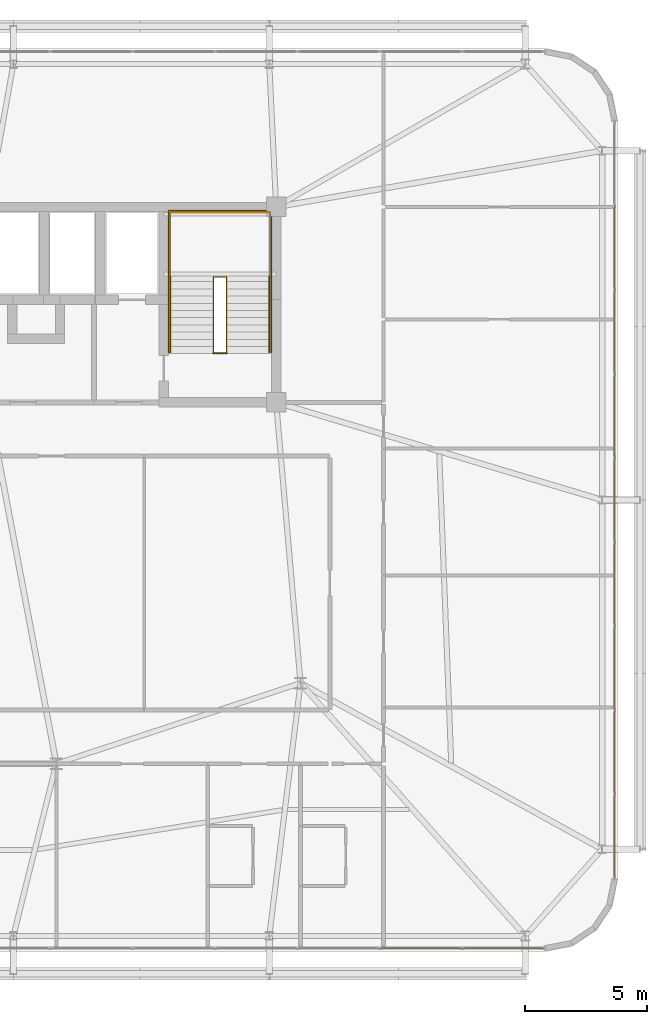
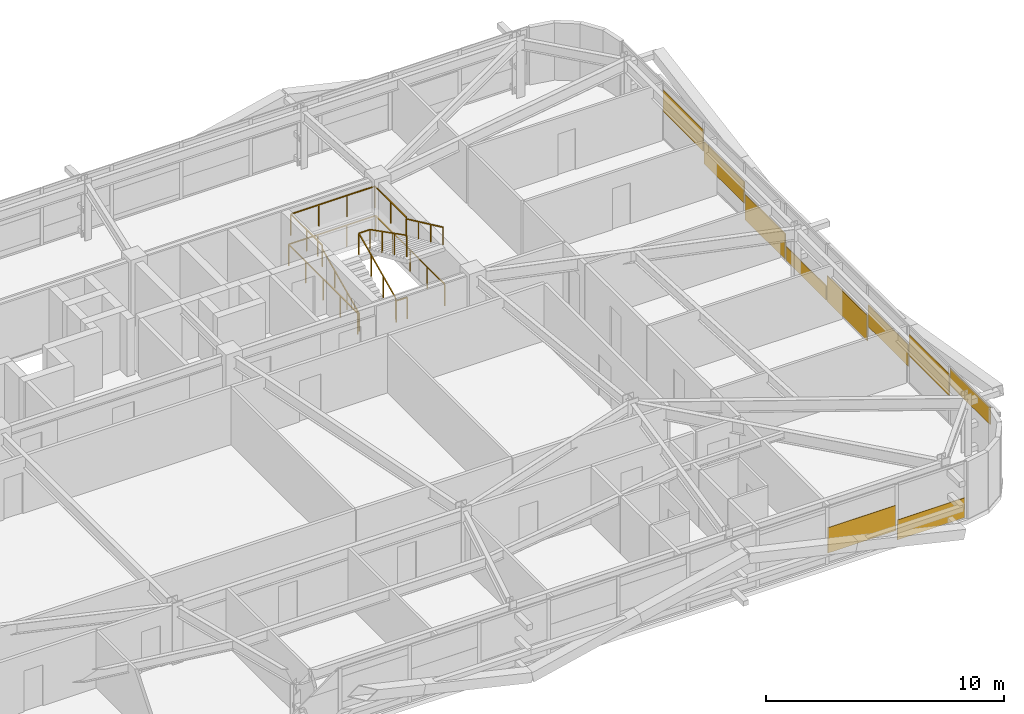
# One storey, part 57 of 58: 10 coverings, 6 railings.
"""IFC4 building model written with IfcOpenShell, lengths in metres."""

from ifc_helpers import new_model, si_unit, direction, frame, origin, origin_2d, place, context, subcontext, project, spatial, rectangle, extrude, source, transform, mapped, material, layer, layer_set, type_object, element, save


model = new_model("IFC4")

# Units and contexts
model_context = context("Model", 3, precision=1e-05, world=origin(), true_north=direction((0.0, 1.0)))
body_context = subcontext(model_context, "Body", "Model", "MODEL_VIEW")
ifc_project = project(units=[si_unit("LENGTHUNIT", "METRE"), si_unit("AREAUNIT", "SQUARE_METRE"), si_unit("VOLUMEUNIT", "CUBIC_METRE"), si_unit("PLANEANGLEUNIT", "RADIAN"), si_unit("MASSUNIT", "GRAM", prefix="KILO")], contexts=[model_context])

# Site, building, storey
site_placement = place(None, origin())
site = spatial("IfcSite", under=ifc_project, at=site_placement, CompositionType="ELEMENT")
building_placement = place(site_placement, origin())
building = spatial("IfcBuilding", under=site, at=building_placement, Name="Taldren Reach Tower", CompositionType="ELEMENT")
storey_placement = place(building_placement, frame((0.0, 0.0, 51.449951171875)))
storey = spatial("IfcBuildingStorey", under=building, at=storey_placement, Name="L15", CompositionType="ELEMENT", Elevation=51.449951171875)

# Railings
ifc_material_1 = material(Name="Steel Gr 350 (C350L0)", Category="steel")
ifc_layer_1 = layer(ifc_material_1, 0.050048828125)
ifc_layer_set_1 = layer_set([ifc_layer_1], Name="Steel Gr 350 (C350L0)")
railing_type_1 = type_object("IfcRailingType", Name="RL-STAIR-GR", PredefinedType="GUARDRAIL", material=ifc_layer_set_1)
railing_1_placement = place(storey_placement, frame((46.659912109375, 29.135009765625, 1.574951171875)))
element("IfcRailing", 1, at=railing_1_placement, inside=storey, type_object=railing_type_1, Name="Stair half-landing perimeter guard ST2-L15", PredefinedType="GUARDRAIL", context=body_context, shape_type="SweptSolid", body=[
    extrude(rectangle(XDim=0.047852, YDim=0.047852, at=origin_2d()), frame((0.0, 0.0, 1.09619140625), z_axis=(0.0, 1.0, 0.0), x_axis=(-1.0, 0.0, 0.0)), (0.0, 0.0, 1.0), 2.64501953125),
    extrude(rectangle(XDim=0.047852, YDim=0.047852, at=origin_2d()), frame((0.0, 2.64501953125, 1.09619140625), z_axis=(1.0, 0.0, 0.0), x_axis=(0.0, 1.0, 0.0)), (0.0, 0.0, 1.0), 4.080078125),
    extrude(rectangle(XDim=0.047852, YDim=0.047852, at=origin_2d()), frame((4.080078125, 2.64501953125, 1.09619140625), z_axis=(0.0, -1.0, 0.0), x_axis=(1.0, 0.0, 0.0)), (0.0, 0.0, 1.0), 2.64501953125),
    extrude(rectangle(XDim=0.041992, YDim=0.041992, at=origin_2d()), origin(), (0.0, 0.0, 1.0), 1.072021484375),
    extrude(rectangle(XDim=0.041992, YDim=0.041992, at=origin_2d()), frame((0.0, 1.322509765625, 0.0)), (0.0, 0.0, 1.0), 1.072021484375),
    extrude(rectangle(XDim=0.041992, YDim=0.041992, at=origin_2d()), frame((0.0, 2.64501953125, 0.0)), (0.0, 0.0, 1.0), 1.072021484375),
    extrude(rectangle(XDim=0.041992, YDim=0.041992, at=origin_2d()), frame((1.360107421875, 2.64501953125, 0.0)), (0.0, 0.0, 1.0), 1.072021484375),
    extrude(rectangle(XDim=0.041992, YDim=0.041992, at=origin_2d()), frame((2.719970703125, 2.64501953125, 0.0)), (0.0, 0.0, 1.0), 1.072021484375),
    extrude(rectangle(XDim=0.041992, YDim=0.041992, at=origin_2d()), frame((4.080078125, 2.64501953125, 0.0)), (0.0, 0.0, 1.0), 1.072021484375),
    extrude(rectangle(XDim=0.041992, YDim=0.041992, at=origin_2d()), frame((4.080078125, 1.322509765625, 0.0)), (0.0, 0.0, 1.0), 1.072021484375),
    extrude(rectangle(XDim=0.041992, YDim=0.041992, at=origin_2d()), frame((4.080078125, 0.0, 0.0)), (0.0, 0.0, 1.0), 1.072021484375),
])
railing_2_placement = place(storey_placement, frame((48.429931640625, 26.050048828125, 0.13134765625)))
element("IfcRailing", 2, at=railing_2_placement, inside=storey, type_object=railing_type_1, Name="Stairwell inner guard ST2-L15", PredefinedType="GUARDRAIL", context=body_context, shape_type="SweptSolid", body=[
    extrude(rectangle(XDim=0.047852, YDim=0.047852, at=origin_2d()), frame((0.0, 0.0, 1.09619140625), z_axis=(0.0, 0.905737652094, 0.423838773095), x_axis=(-1.0, 0.0, 0.0)), (0.0, 0.0, 1.0), 3.406005859375),
    extrude(rectangle(XDim=0.047852, YDim=0.047852, at=origin_2d()), frame((0.0, 3.0849609375, 2.53955078125), z_axis=(1.0, 0.0, 0.0), x_axis=(0.0, 1.0, 0.0)), (0.0, 0.0, 1.0), 0.5400390625),
    extrude(rectangle(XDim=0.047852, YDim=0.047852, at=origin_2d()), frame((0.5400390625, 3.0849609375, 2.53955078125), z_axis=(0.0, -0.890617412389, 0.454753366946), x_axis=(1.0, 0.0, 0.0)), (0.0, 0.0, 1.0), 3.4638671875),
    extrude(rectangle(XDim=0.041992, YDim=0.041992, at=origin_2d()), origin(), (0.0, 0.0, 1.0), 1.072021484375),
    extrude(rectangle(XDim=0.041992, YDim=0.041992, at=origin_2d()), frame((0.0, 1.0283203125, 0.481201171875)), (0.0, 0.0, 1.0), 1.072021484375),
    extrude(rectangle(XDim=0.041992, YDim=0.041992, at=origin_2d()), frame((0.0, 2.056640625, 0.96240234375)), (0.0, 0.0, 1.0), 1.072021484375),
    extrude(rectangle(XDim=0.041992, YDim=0.041992, at=origin_2d()), frame((0.0, 3.0849609375, 1.443603515625)), (0.0, 0.0, 1.0), 1.072021484375),
    extrude(rectangle(XDim=0.041992, YDim=0.041992, at=origin_2d()), frame((0.5400390625, 3.0849609375, 1.443603515625)), (0.0, 0.0, 1.0), 1.072021484375),
    extrude(rectangle(XDim=0.041992, YDim=0.041992, at=origin_2d()), frame((0.5400390625, 2.056640625, 1.96875)), (0.0, 0.0, 1.0), 1.072021484375),
    extrude(rectangle(XDim=0.041992, YDim=0.041992, at=origin_2d()), frame((0.5400390625, 1.0283203125, 2.49365234375)), (0.0, 0.0, 1.0), 1.072021484375),
    extrude(rectangle(XDim=0.041992, YDim=0.041992, at=origin_2d()), frame((0.5400390625, 0.0, 3.018798828125)), (0.0, 0.0, 1.0), 1.072021484375),
])
railing_3_placement = place(storey_placement, frame((48.429931640625, 26.010009765625, 0.0)))
element("IfcRailing", 3, at=railing_3_placement, inside=storey, type_object=railing_type_1, Name="Stairwell landing slot guard ST2-L15", PredefinedType="GUARDRAIL", context=body_context, shape_type="SweptSolid", body=[
    extrude(rectangle(XDim=0.047852, YDim=0.047852, at=origin_2d()), frame((0.0, 0.0, 1.09619140625), z_axis=(1.0, 0.0, 0.0), x_axis=(0.0, 1.0, 0.0)), (0.0, 0.0, 1.0), 0.5400390625),
    extrude(rectangle(XDim=0.041992, YDim=0.041992, at=origin_2d()), origin(), (0.0, 0.0, 1.0), 1.072021484375),
    extrude(rectangle(XDim=0.041992, YDim=0.041992, at=origin_2d()), frame((0.5400390625, 0.0, 0.0)), (0.0, 0.0, 1.0), 1.072021484375),
])
railing_4_placement = place(storey_placement, frame((46.590087890625, 26.050048828125, 0.0)))
element("IfcRailing", 4, at=railing_4_placement, inside=storey, type_object=railing_type_1, Name="Stairwell floor opening guard ST2-L15", PredefinedType="GUARDRAIL", context=body_context, shape_type="SweptSolid", body=[
    extrude(rectangle(XDim=0.047852, YDim=0.047852, at=origin_2d()), frame((0.0, 0.0, 1.09619140625), z_axis=(0.0, 1.0, 0.0), x_axis=(-1.0, 0.0, 0.0)), (0.0, 0.0, 1.0), 5.800048828125),
    extrude(rectangle(XDim=0.047852, YDim=0.047852, at=origin_2d()), frame((0.0, 5.800048828125, 1.09619140625), z_axis=(1.0, 0.0, 0.0), x_axis=(0.0, 1.0, 0.0)), (0.0, 0.0, 1.0), 4.219970703125),
    extrude(rectangle(XDim=0.047852, YDim=0.047852, at=origin_2d()), frame((4.219970703125, 5.800048828125, 1.09619140625), z_axis=(0.0, -1.0, 0.0), x_axis=(1.0, 0.0, 0.0)), (0.0, 0.0, 1.0), 5.800048828125),
    extrude(rectangle(XDim=0.041992, YDim=0.041992, at=origin_2d()), origin(), (0.0, 0.0, 1.0), 1.072021484375),
    extrude(rectangle(XDim=0.041992, YDim=0.041992, at=origin_2d()), frame((0.0, 1.449951171875, 0.0)), (0.0, 0.0, 1.0), 1.072021484375),
    extrude(rectangle(XDim=0.041992, YDim=0.041992, at=origin_2d()), frame((0.0, 2.89990234375, 0.0)), (0.0, 0.0, 1.0), 1.072021484375),
    extrude(rectangle(XDim=0.041992, YDim=0.041992, at=origin_2d()), frame((0.0, 4.35009765625, 0.0)), (0.0, 0.0, 1.0), 1.072021484375),
    extrude(rectangle(XDim=0.041992, YDim=0.041992, at=origin_2d()), frame((0.0, 5.800048828125, 0.0)), (0.0, 0.0, 1.0), 1.072021484375),
    extrude(rectangle(XDim=0.041992, YDim=0.041992, at=origin_2d()), frame((1.40673828125, 5.800048828125, 0.0)), (0.0, 0.0, 1.0), 1.072021484375),
    extrude(rectangle(XDim=0.041992, YDim=0.041992, at=origin_2d()), frame((2.813232421875, 5.800048828125, 0.0)), (0.0, 0.0, 1.0), 1.072021484375),
    extrude(rectangle(XDim=0.041992, YDim=0.041992, at=origin_2d()), frame((4.219970703125, 5.800048828125, 0.0)), (0.0, 0.0, 1.0), 1.072021484375),
    extrude(rectangle(XDim=0.041992, YDim=0.041992, at=origin_2d()), frame((4.219970703125, 4.35009765625, 0.0)), (0.0, 0.0, 1.0), 1.072021484375),
    extrude(rectangle(XDim=0.041992, YDim=0.041992, at=origin_2d()), frame((4.219970703125, 2.89990234375, 0.0)), (0.0, 0.0, 1.0), 1.072021484375),
    extrude(rectangle(XDim=0.041992, YDim=0.041992, at=origin_2d()), frame((4.219970703125, 1.449951171875, 0.0)), (0.0, 0.0, 1.0), 1.072021484375),
    extrude(rectangle(XDim=0.041992, YDim=0.041992, at=origin_2d()), frame((4.219970703125, 0.0, 0.0)), (0.0, 0.0, 1.0), 1.072021484375),
])
ifc_material_2 = material(Name="Stainless Steel Gr 316", Category="steel")
ifc_layer_2 = layer(ifc_material_2, 0.048095703125)
ifc_layer_set_2 = layer_set([ifc_layer_2], Name="Stainless Steel Gr 316")
railing_type_2 = type_object("IfcRailingType", Name="RL-STAIR-HR", PredefinedType="HANDRAIL", material=ifc_layer_set_2)
railing_5_placement = place(storey_placement, frame((46.669921875, 26.050048828125, 0.13134765625)))
element("IfcRailing", 5, at=railing_5_placement, inside=storey, type_object=railing_type_2, Name="Stair flight handrail ST2-L15-1", PredefinedType="HANDRAIL", context=body_context, shape_type="SweptSolid", body=[
    extrude(rectangle(XDim=0.047852, YDim=0.047852, at=origin_2d()), frame((0.0, 0.0, 0.89599609375), z_axis=(0.0, 0.905737652094, 0.423838773095), x_axis=(-1.0, 0.0, 0.0)), (0.0, 0.0, 1.0), 3.406005859375),
    extrude(rectangle(XDim=0.041992, YDim=0.041992, at=origin_2d()), origin(), (0.0, 0.0, 1.0), 0.871826171875),
    extrude(rectangle(XDim=0.041992, YDim=0.041992, at=origin_2d()), frame((0.0, 1.0283203125, 0.481201171875)), (0.0, 0.0, 1.0), 0.871826171875),
    extrude(rectangle(XDim=0.041992, YDim=0.041992, at=origin_2d()), frame((0.0, 2.056640625, 0.96240234375)), (0.0, 0.0, 1.0), 0.871826171875),
    extrude(rectangle(XDim=0.041992, YDim=0.041992, at=origin_2d()), frame((0.0, 3.0849609375, 1.443603515625)), (0.0, 0.0, 1.0), 0.871826171875),
])
railing_6_placement = place(storey_placement, frame((50.72998046875, 29.135009765625, 1.706298828125)))
element("IfcRailing", 6, at=railing_6_placement, inside=storey, type_object=railing_type_2, Name="Stair flight handrail ST2-L15-2", PredefinedType="HANDRAIL", context=body_context, shape_type="SweptSolid", body=[
    extrude(rectangle(XDim=0.047852, YDim=0.047852, at=origin_2d()), frame((0.0, 0.0, 0.89599609375), z_axis=(0.0, -0.905710134349, 0.423897573167), x_axis=(1.0, 0.0, 0.0)), (0.0, 0.0, 1.0), 3.406005859375),
    extrude(rectangle(XDim=0.041992, YDim=0.041992, at=origin_2d()), origin(), (0.0, 0.0, 1.0), 0.871826171875),
    extrude(rectangle(XDim=0.041992, YDim=0.041992, at=origin_2d()), frame((0.0, -1.0283203125, 0.481201171875)), (0.0, 0.0, 1.0), 0.871826171875),
    extrude(rectangle(XDim=0.041992, YDim=0.041992, at=origin_2d()), frame((0.0, -2.056640625, 0.962646484375)), (0.0, 0.0, 1.0), 0.871826171875),
    extrude(rectangle(XDim=0.041992, YDim=0.041992, at=origin_2d()), frame((0.0, -3.0849609375, 1.44384765625)), (0.0, 0.0, 1.0), 0.871826171875),
])

# Coverings
ifc_material_3 = material(Name="Pale Champagne Fluoropolymer Aluminium Spandrel Cladding", Category="aluminium")
ifc_layer_3 = layer(ifc_material_3, 0.0439453125)
ifc_layer_set_3 = layer_set([ifc_layer_3], Name="Pale Champagne Fluoropolymer Aluminium Spandrel Cladding")
covering_type = type_object("IfcCoveringType", Name="CV-CLAD-044", PredefinedType="CLADDING", material=ifc_layer_set_3)
shared_shape_1 = source(origin(), body_context, "Body", "SweptSolid", [
    extrude(rectangle(XDim=3.31005859375, YDim=0.0439453125, at=origin_2d()), origin(), (0.0, 0.0, 1.0), 1.301025390625),
])
covering_1_placement = place(storey_placement, frame((56.9375, 1.639892578125, 0.55810546875), z_axis=(0.0, 0.0, 1.0), x_axis=(1.0, 0.0, 0.0)))
element("IfcCovering", 7, at=covering_1_placement, inside=storey, type_object=covering_type, Name="Diagrid closure cladding strip CW-2 panel 15.1 1", PredefinedType="CLADDING", context=body_context, shape_type="MappedRepresentation", body=[
    mapped(shared_shape_1, transform((0.0, 0.0, 0.0), scale=1.0)),
])
shared_shape_2 = source(origin(), body_context, "Body", "SweptSolid", [
    extrude(rectangle(XDim=3.277587890625, YDim=0.0439453125, at=origin_2d()), origin(), (0.0, 0.0, 1.0), 1.021240234375),
])
covering_2_placement = place(storey_placement, frame((60.296142578125, 1.639892578125, 0.05517578125), z_axis=(0.0, 0.0, 1.0), x_axis=(1.0, 0.0, 0.0)))
element("IfcCovering", 8, at=covering_2_placement, inside=storey, type_object=covering_type, Name="Diagrid closure cladding strip CW-2 panel 16.1 1", PredefinedType="CLADDING", context=body_context, shape_type="MappedRepresentation", body=[
    mapped(shared_shape_2, transform((0.0, 0.0, 0.0), scale=1.0)),
])
shared_shape_3 = source(origin(), body_context, "Body", "SweptSolid", [
    extrude(rectangle(XDim=3.346923828125, YDim=0.0439453125, at=origin_2d()), origin(), (0.0, 0.0, 1.0), 0.864501953125),
])
covering_3_placement = place(storey_placement, frame((64.860107421875, 6.238525390625, 2.0107421875), z_axis=(0.0, 0.0, 1.0), x_axis=(0.0, 1.0, 0.0)))
element("IfcCovering", 9, at=covering_3_placement, inside=storey, type_object=covering_type, Name="Diagrid closure cladding strip CW-2 panel 1.1 1", PredefinedType="CLADDING", context=body_context, shape_type="MappedRepresentation", body=[
    mapped(shared_shape_3, transform((0.0, 0.0, 0.0), scale=1.0)),
])
shared_shape_4 = source(origin(), body_context, "Body", "SweptSolid", [
    extrude(rectangle(XDim=3.37939453125, YDim=0.0439453125, at=origin_2d()), origin(), (0.0, 0.0, 1.0), 1.1015625),
])
for number, where, z_axis, x_axis, name in (
    (10, (64.860107421875, 9.666748046875, 1.42529296875), (0.0, 0.0, 1.0), (0.0, 1.0, 0.0), "Diagrid closure cladding strip CW-2 panel 2.1 1"),
    (11, (64.860107421875, 13.111083984375, 0.83984375), (0.0, 0.0, 1.0), (0.0, 1.0, 0.0), "Diagrid closure cladding strip CW-2 panel 3.1 1"),
    (12, (64.860107421875, 26.888916015625, 0.83984375), (0.0, 0.0, 1.0), (0.0, 1.0, 0.0), "Diagrid closure cladding strip CW-2 panel 7.1 1"),
    (13, (64.860107421875, 30.333251953125, 1.42529296875), (0.0, 0.0, 1.0), (0.0, 1.0, 0.0), "Diagrid closure cladding strip CW-2 panel 8.1 1"),
):
    element("IfcCovering", number, at=place(storey_placement, frame(where, z_axis=z_axis, x_axis=x_axis)), inside=storey, type_object=covering_type, Name=name, PredefinedType="CLADDING", context=body_context, shape_type="MappedRepresentation", body=[
        mapped(shared_shape_4, transform((0.0, 0.0, 0.0), scale=1.0)),
    ])
shared_shape_5 = source(origin(), body_context, "Body", "SweptSolid", [
    extrude(rectangle(XDim=3.37939453125, YDim=0.0439453125, at=origin_2d()), origin(), (0.0, 0.0, 1.0), 1.301025390625),
])
for number, where, z_axis, x_axis, name in (
    (14, (64.860107421875, 16.5556640625, 0.05517578125), (0.0, 0.0, 1.0), (0.0, 1.0, 0.0), "Diagrid closure cladding strip CW-2 panel 4.1 1"),
    (15, (64.860107421875, 23.4443359375, 0.05517578125), (0.0, 0.0, 1.0), (0.0, 1.0, 0.0), "Diagrid closure cladding strip CW-2 panel 6.1 1"),
):
    element("IfcCovering", number, at=place(storey_placement, frame(where, z_axis=z_axis, x_axis=x_axis)), inside=storey, type_object=covering_type, Name=name, PredefinedType="CLADDING", context=body_context, shape_type="MappedRepresentation", body=[
        mapped(shared_shape_5, transform((0.0, 0.0, 0.0), scale=1.0)),
    ])
shared_shape_6 = source(origin(), body_context, "Body", "SweptSolid", [
    extrude(rectangle(XDim=3.37939453125, YDim=0.0439453125, at=origin_2d()), origin(), (0.0, 0.0, 1.0), 0.7158203125),
])
covering_4_placement = place(storey_placement, frame((64.860107421875, 20.0, 0.054931640625), z_axis=(0.0, 0.0, 1.0), x_axis=(0.0, 1.0, 0.0)))
element("IfcCovering", 16, at=covering_4_placement, inside=storey, type_object=covering_type, Name="Diagrid closure cladding strip CW-2 panel 5.1 1", PredefinedType="CLADDING", context=body_context, shape_type="MappedRepresentation", body=[
    mapped(shared_shape_6, transform((0.0, 0.0, 0.0), scale=1.0)),
])

save(model, "model.ifc")
